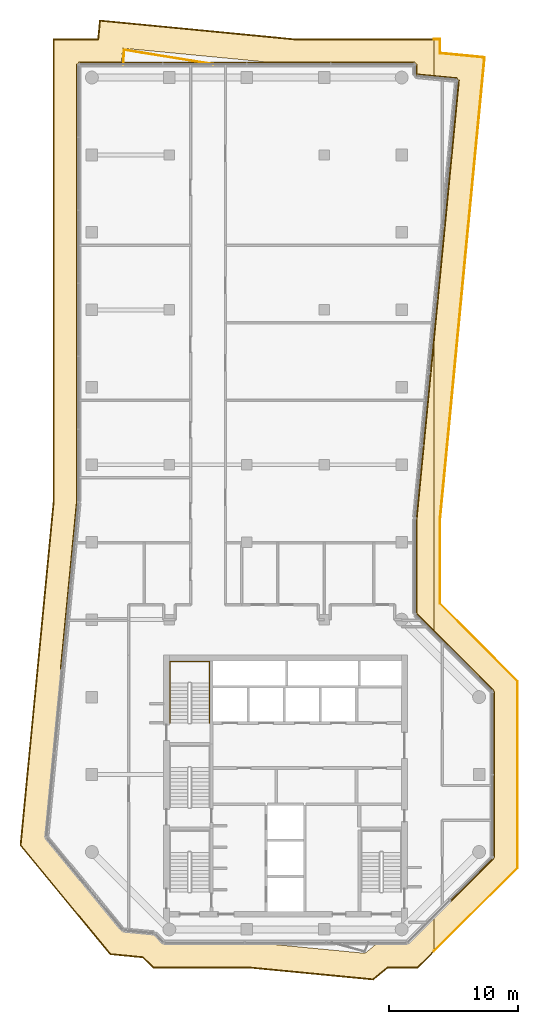
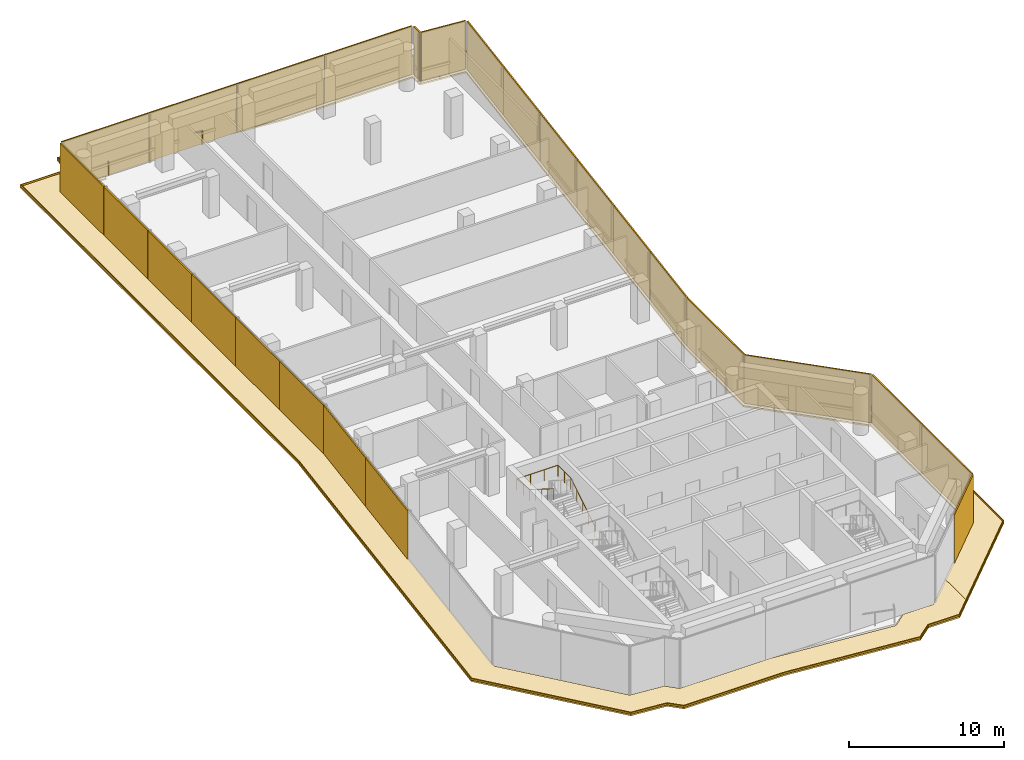
# One storey, part 13 of 13: 30 coverings, 2 railings.
"""IFC4 building model written with IfcOpenShell, lengths in metres."""

from ifc_helpers import new_model, si_unit, direction, frame, origin, origin_2d, place, context, subcontext, project, spatial, polyline, rectangle, circle, outline, extrude, material, layer, layer_set, type_object, element, save


model = new_model("IFC4")

# Units and contexts
model_context = context("Model", 3, precision=1e-05, world=origin(), true_north=direction((0.0, 1.0)))
body_context = subcontext(model_context, "Body", "Model", "MODEL_VIEW")
ifc_project = project(units=[si_unit("LENGTHUNIT", "METRE"), si_unit("AREAUNIT", "SQUARE_METRE"), si_unit("VOLUMEUNIT", "CUBIC_METRE"), si_unit("PLANEANGLEUNIT", "RADIAN"), si_unit("MASSUNIT", "GRAM", prefix="KILO")], contexts=[model_context])

# Site, building, storey
site_placement = place(None, origin())
site = spatial("IfcSite", under=ifc_project, at=site_placement, CompositionType="ELEMENT")
building_placement = place(site_placement, origin())
building = spatial("IfcBuilding", under=site, at=building_placement, Name="Welwitschia Terrace Campus", CompositionType="ELEMENT")
storey_placement = place(building_placement, frame((0.0, 0.0, 251.60009765625)))
storey = spatial("IfcBuildingStorey", under=building, at=storey_placement, Name="L56", CompositionType="ELEMENT", Elevation=251.60009765625)

# Coverings
ifc_material_1 = material(Name="Bronze mesh aluminium screen", Category="aluminium")
ifc_layer_1 = layer(ifc_material_1, 0.090087890625)
ifc_layer_set_1 = layer_set([ifc_layer_1], Name="Bronze mesh aluminium screen")
covering_type_1 = type_object("IfcCoveringType", Name="Bronze screen 90 plant", PredefinedType="USERDEFINED", material=ifc_layer_set_1)
for number, where, z_axis, x_axis, name in (
    (1, (-1.135009765625, 68.203125, 0.0), (0.0, 0.0, 1.0), (0.0, -1.0, 0.0), "Screen L56.0.0"),
    (2, (-1.135009765625, 62.5498046875, 0.0), (0.0, 0.0, 1.0), (0.0, -1.0, 0.0), "Screen L56.0.1"),
    (3, (-1.135009765625, 56.89599609375, 0.0), (0.0, 0.0, 1.0), (0.0, -1.0, 0.0), "Screen L56.0.2"),
    (4, (-1.135009765625, 51.24267578125, 0.0), (0.0, 0.0, 1.0), (0.0, -1.0, 0.0), "Screen L56.0.3"),
    (5, (-1.135009765625, 45.589111328125, 0.0), (0.0, 0.0, 1.0), (0.0, -1.0, 0.0), "Screen L56.0.4"),
    (6, (-1.135009765625, 39.935546875, 0.0), (0.0, 0.0, 1.0), (0.0, -1.0, 0.0), "Screen L56.0.5"),
):
    element("IfcCovering", number, at=place(storey_placement, frame(where, z_axis=z_axis, x_axis=x_axis)), inside=storey, type_object=covering_type_1, Name=name, ObjectType="SCREEN", PredefinedType="USERDEFINED", context=body_context, shape_type="SweptSolid", body=[
        extrude(rectangle(XDim=5.633544921875, YDim=0.090087890625, at=origin_2d()), origin(), (0.0, 0.0, 1.0), 3.800048828125),
    ])
for number, where, z_axis, x_axis, name in (
    (7, (-1.447021484375, 33.8720703125, 0.0), (0.0, 0.0, 1.0), (-0.09584575252, -0.995396198367, 0.0), "Screen L56.1.0"),
    (8, (-2.072509765625, 27.378662109375, 0.0), (0.0, 0.0, 1.0), (-0.09584575252, -0.995396198367, 0.0), "Screen L56.1.1"),
):
    element("IfcCovering", number, at=place(storey_placement, frame(where, z_axis=z_axis, x_axis=x_axis)), inside=storey, type_object=covering_type_1, Name=name, ObjectType="SCREEN", PredefinedType="USERDEFINED", context=body_context, shape_type="SweptSolid", body=[
        extrude(rectangle(XDim=6.50341796875, YDim=0.090087890625, at=origin_2d()), origin(), (0.0, 0.0, 1.0), 3.800048828125),
    ])
covering_1_placement = place(storey_placement, frame((29.453369140625, 7.848388671875, 0.0), z_axis=(0.0, 0.0, 1.0), x_axis=(0.707106781187, 0.707106781187, 0.0)))
element("IfcCovering", 9, at=covering_1_placement, inside=storey, type_object=covering_type_1, Name="Screen L56.6.1", ObjectType="SCREEN", PredefinedType="USERDEFINED", context=body_context, shape_type="SweptSolid", body=[
    extrude(rectangle(XDim=4.6494140625, YDim=0.090087890625, at=origin_2d()), origin(), (0.0, 0.0, 1.0), 3.800048828125),
])
for number, where, z_axis, x_axis, name in (
    (10, (31.135009765625, 12.78662109375, 0.0), (0.0, 0.0, 1.0), (0.0, 1.0, 0.0), "Screen L56.7.0"),
    (11, (31.135009765625, 19.21337890625, 0.0), (0.0, 0.0, 1.0), (0.0, 1.0, 0.0), "Screen L56.7.1"),
):
    element("IfcCovering", number, at=place(storey_placement, frame(where, z_axis=z_axis, x_axis=x_axis)), inside=storey, type_object=covering_type_1, Name=name, ObjectType="SCREEN", PredefinedType="USERDEFINED", context=body_context, shape_type="SweptSolid", body=[
        extrude(rectangle(XDim=6.406494140625, YDim=0.090087890625, at=origin_2d()), origin(), (0.0, 0.0, 1.0), 3.800048828125),
    ])
covering_2_placement = place(storey_placement, frame((28.104248046875, 25.5009765625, 0.0), z_axis=(0.0, 0.0, 1.0), x_axis=(-0.707106781187, 0.707106781187, 0.0)))
element("IfcCovering", 12, at=covering_2_placement, inside=storey, type_object=covering_type_1, Name="Screen L56.8.0", ObjectType="SCREEN", PredefinedType="USERDEFINED", context=body_context, shape_type="SweptSolid", body=[
    extrude(rectangle(XDim=8.46533203125, YDim=0.090087890625, at=origin_2d()), origin(), (0.0, 0.0, 1.0), 3.800048828125),
])
covering_3_placement = place(storey_placement, frame((25.135009765625, 32.141845703125, 0.0), z_axis=(0.0, 0.0, 1.0), x_axis=(0.0, 1.0, 0.0)))
element("IfcCovering", 13, at=covering_3_placement, inside=storey, type_object=covering_type_1, Name="Screen L56.9.0", ObjectType="SCREEN", PredefinedType="USERDEFINED", context=body_context, shape_type="SweptSolid", body=[
    extrude(rectangle(XDim=7.410400390625, YDim=0.090087890625, at=origin_2d()), origin(), (0.0, 0.0, 1.0), 3.800048828125),
])
for number, where, z_axis, x_axis, name in (
    (14, (25.406982421875, 38.676513671875, 0.0), (0.0, 0.0, 1.0), (0.09584575252, 0.995396198367, 0.0), "Screen L56.10.0"),
    (15, (25.951904296875, 44.33544921875, 0.0), (0.0, 0.0, 1.0), (0.09584575252, 0.995396198367, 0.0), "Screen L56.10.1"),
    (16, (26.496826171875, 49.994384765625, 0.0), (0.0, 0.0, 1.0), (0.09584575252, 0.995396198367, 0.0), "Screen L56.10.2"),
    (17, (27.041748046875, 55.6533203125, 0.0), (0.0, 0.0, 1.0), (0.09584575252, 0.995396198367, 0.0), "Screen L56.10.3"),
    (18, (27.58642578125, 61.312255859375, 0.0), (0.0, 0.0, 1.0), (0.09584575252, 0.995396198367, 0.0), "Screen L56.10.4"),
    (19, (28.13134765625, 66.97119140625, 0.0), (0.0, 0.0, 1.0), (0.09584575252, 0.995396198367, 0.0), "Screen L56.10.5"),
):
    element("IfcCovering", number, at=place(storey_placement, frame(where, z_axis=z_axis, x_axis=x_axis)), inside=storey, type_object=covering_type_1, Name=name, ObjectType="SCREEN", PredefinedType="USERDEFINED", context=body_context, shape_type="SweptSolid", body=[
        extrude(rectangle(XDim=5.6650390625, YDim=0.090087890625, at=origin_2d()), origin(), (0.0, 0.0, 1.0), 3.800048828125),
    ])
covering_4_placement = place(storey_placement, frame((26.6748046875, 70.07275390625, 0.0), z_axis=(0.0, 0.0, 1.0), x_axis=(-0.995396198367, 0.09584575252, 0.0)))
element("IfcCovering", 20, at=covering_4_placement, inside=storey, type_object=covering_type_1, Name="Screen L56.11.0", ObjectType="SCREEN", PredefinedType="USERDEFINED", context=body_context, shape_type="SweptSolid", body=[
    extrude(rectangle(XDim=3.264404296875, YDim=0.090087890625, at=origin_2d()), origin(), (0.0, 0.0, 1.0), 3.800048828125),
])
covering_5_placement = place(storey_placement, frame((25.135009765625, 70.577880859375, 0.0), z_axis=(0.0, 0.0, 1.0), x_axis=(0.0, 1.0, 0.0)))
element("IfcCovering", 21, at=covering_5_placement, inside=storey, type_object=covering_type_1, Name="Screen L56.12.0", ObjectType="SCREEN", PredefinedType="USERDEFINED", context=body_context, shape_type="SweptSolid", body=[
    extrude(rectangle(XDim=0.884521484375, YDim=0.090087890625, at=origin_2d()), origin(), (0.0, 0.0, 1.0), 3.800048828125),
])
for number, where, z_axis, x_axis, name in (
    (22, (21.7724609375, 71.135009765625, 0.0), (0.0, 0.0, 1.0), (-1.0, 0.0, 0.0), "Screen L56.13.0"),
    (23, (15.257568359375, 71.135009765625, 0.0), (0.0, 0.0, 1.0), (-1.0, 0.0, 0.0), "Screen L56.13.1"),
    (24, (8.742431640625, 71.135009765625, 0.0), (0.0, 0.0, 1.0), (-1.0, 0.0, 0.0), "Screen L56.13.2"),
    (25, (2.2275390625, 71.135009765625, 0.0), (0.0, 0.0, 1.0), (-1.0, 0.0, 0.0), "Screen L56.13.3"),
):
    element("IfcCovering", number, at=place(storey_placement, frame(where, z_axis=z_axis, x_axis=x_axis)), inside=storey, type_object=covering_type_1, Name=name, ObjectType="SCREEN", PredefinedType="USERDEFINED", context=body_context, shape_type="SweptSolid", body=[
        extrude(rectangle(XDim=6.4951171875, YDim=0.090087890625, at=origin_2d()), origin(), (0.0, 0.0, 1.0), 3.800048828125),
    ])

# Railings
ifc_material_2 = material(Name="Stainless steel grade 316", Category="steel")
railing_type_1 = type_object("IfcRailingType", Name="Guard 1100", PredefinedType="GUARDRAIL", material=ifc_material_2)
railing_1_placement = place(storey_placement, frame((2.430419921875, 71.030029296875, 0.0)))
element("IfcRailing", 26, at=railing_1_placement, inside=storey, type_object=railing_type_1, Name="Guard floor edge L56.0", PredefinedType="GUARDRAIL", context=body_context, shape_type="SweptSolid", body=[
    extrude(circle(Radius=0.02392578125, at=origin_2d()), frame((0.0, 0.0, 1.076171875), z_axis=(0.057286408179, 0.998357785284, 0.0), x_axis=(-0.998357785284, 0.057286408179, 0.0)), (0.0, 0.0, 1.0), 1.11669921875),
    extrude(circle(Radius=0.02392578125, at=origin_2d()), frame((0.06396484375, 1.11474609375, 1.076171875), z_axis=(0.987214375663, -0.159398169641, 0.0), x_axis=(0.159398169641, 0.987214375663, 0.0)), (0.0, 0.0, 1.0), 6.993408203125),
    extrude(circle(Radius=0.02099609375, at=origin_2d()), origin(), (0.0, 0.0, 1.0), 1.052001953125),
    extrude(circle(Radius=0.02099609375, at=origin_2d()), frame((0.06396484375, 1.11474609375, 0.0)), (0.0, 0.0, 1.0), 1.052001953125),
    extrude(circle(Radius=0.02099609375, at=origin_2d()), frame((1.44482421875, 0.891845703125, 0.0)), (0.0, 0.0, 1.0), 1.052001953125),
    extrude(circle(Radius=0.02099609375, at=origin_2d()), frame((2.82568359375, 0.6689453125, 0.0)), (0.0, 0.0, 1.0), 1.052001953125),
    extrude(circle(Radius=0.02099609375, at=origin_2d()), frame((4.206298828125, 0.44580078125, 0.0)), (0.0, 0.0, 1.0), 1.052001953125),
    extrude(circle(Radius=0.02099609375, at=origin_2d()), frame((5.587158203125, 0.222900390625, 0.0)), (0.0, 0.0, 1.0), 1.052001953125),
    extrude(circle(Radius=0.02099609375, at=origin_2d()), frame((6.968017578125, 0.0, 0.0)), (0.0, 0.0, 1.0), 1.052001953125),
])
ifc_material_3 = material(Name="Steel S355", Category="steel")
railing_type_2 = type_object("IfcRailingType", Name="Stair handrail 900", PredefinedType="HANDRAIL", material=ifc_material_3)
railing_2_placement = place(storey_placement, frame((9.10009765625, 20.0, 0.1748046875)))
element("IfcRailing", 27, at=railing_2_placement, inside=storey, type_object=railing_type_2, Name="L56 S4 stair handrail", PredefinedType="HANDRAIL", context=body_context, shape_type="SweptSolid", body=[
    extrude(circle(Radius=0.02392578125, at=origin_2d()), frame((0.0, 0.0, 0.8759765625), z_axis=(0.0, 0.847998304005, 0.529998940003), x_axis=(-1.0, 0.0, 0.0)), (0.0, 0.0, 1.0), 3.632080078125),
    extrude(circle(Radius=0.02392578125, at=origin_2d()), frame((0.0, 3.080078125, 2.80078125), z_axis=(0.0, 1.0, 0.0), x_axis=(-1.0, 0.0, 0.0)), (0.0, 0.0, 1.0), 1.669921875),
    extrude(circle(Radius=0.02392578125, at=origin_2d()), frame((0.0, 4.75, 2.80078125), z_axis=(-1.0, 0.0, 0.0), x_axis=(0.0, -1.0, 0.0)), (0.0, 0.0, 1.0), 3.050048828125),
    extrude(circle(Radius=0.02392578125, at=origin_2d()), frame((-3.050048828125, 4.75, 2.80078125), z_axis=(0.0, -0.99455077262, 0.104253348533), x_axis=(1.0, 0.0, 0.0)), (0.0, 0.0, 1.0), 1.678955078125),
    extrude(circle(Radius=0.02392578125, at=origin_2d()), frame((-3.050048828125, 3.080078125, 2.97607421875), z_axis=(0.0, -0.847998304005, 0.529998940003), x_axis=(1.0, 0.0, 0.0)), (0.0, 0.0, 1.0), 3.632080078125),
    extrude(circle(Radius=0.02099609375, at=origin_2d()), origin(), (0.0, 0.0, 1.0), 0.851806640625),
    extrude(circle(Radius=0.02099609375, at=origin_2d()), frame((0.0, 0.77001953125, 0.481201171875)), (0.0, 0.0, 1.0), 0.851806640625),
    extrude(circle(Radius=0.02099609375, at=origin_2d()), frame((0.0, 1.5400390625, 0.96240234375)), (0.0, 0.0, 1.0), 0.851806640625),
    extrude(circle(Radius=0.02099609375, at=origin_2d()), frame((0.0, 2.31005859375, 1.44384765625)), (0.0, 0.0, 1.0), 0.851806640625),
    extrude(circle(Radius=0.02099609375, at=origin_2d()), frame((0.0, 3.080078125, 1.925048828125)), (0.0, 0.0, 1.0), 0.851806640625),
    extrude(circle(Radius=0.02099609375, at=origin_2d()), frame((0.0, 3.9150390625, 1.925048828125)), (0.0, 0.0, 1.0), 0.851806640625),
    extrude(circle(Radius=0.02099609375, at=origin_2d()), frame((0.0, 4.75, 1.925048828125)), (0.0, 0.0, 1.0), 0.851806640625),
    extrude(circle(Radius=0.02099609375, at=origin_2d()), frame((-1.0166015625, 4.75, 1.925048828125)), (0.0, 0.0, 1.0), 0.851806640625),
    extrude(circle(Radius=0.02099609375, at=origin_2d()), frame((-2.033447265625, 4.75, 1.925048828125)), (0.0, 0.0, 1.0), 0.851806640625),
    extrude(circle(Radius=0.02099609375, at=origin_2d()), frame((-3.050048828125, 4.75, 1.925048828125)), (0.0, 0.0, 1.0), 0.851806640625),
    extrude(circle(Radius=0.02099609375, at=origin_2d()), frame((-3.050048828125, 3.9150390625, 2.0126953125)), (0.0, 0.0, 1.0), 0.851806640625),
    extrude(circle(Radius=0.02099609375, at=origin_2d()), frame((-3.050048828125, 3.080078125, 2.10009765625)), (0.0, 0.0, 1.0), 0.851806640625),
    extrude(circle(Radius=0.02099609375, at=origin_2d()), frame((-3.050048828125, 2.31005859375, 2.581298828125)), (0.0, 0.0, 1.0), 0.851806640625),
    extrude(circle(Radius=0.02099609375, at=origin_2d()), frame((-3.050048828125, 1.5400390625, 3.0625)), (0.0, 0.0, 1.0), 0.851806640625),
    extrude(circle(Radius=0.02099609375, at=origin_2d()), frame((-3.050048828125, 0.77001953125, 3.5439453125)), (0.0, 0.0, 1.0), 0.851806640625),
    extrude(circle(Radius=0.02099609375, at=origin_2d()), frame((-3.050048828125, 0.0, 4.025146484375)), (0.0, 0.0, 1.0), 0.851806640625),
])

# Coverings
ifc_material_4 = material(Name="Bronze anodised aluminium", Category="aluminium")
ifc_layer_2 = layer(ifc_material_4, 0.1201171875)
ifc_layer_set_2 = layer_set([ifc_layer_2], Name="Bronze anodised aluminium")
covering_type_2 = type_object("IfcCoveringType", Name="Sunshade band 2000", PredefinedType="USERDEFINED", material=ifc_layer_set_2)
covering_6_placement = place(storey_placement, frame((0.0, 0.0, -0.25)))
element("IfcCovering", 28, at=covering_6_placement, inside=storey, type_object=covering_type_2, Name="SUNSHADE L56.SW0", ObjectType="SUNSHADE", PredefinedType="USERDEFINED", context=body_context, shape_type="SweptSolid", body=[
    extrude(outline(polyline([(0.587158203125, 74.458251953125), (15.731689453125, 73.0), (26.5, 73.0), (26.5, 69.953857421875), (25.0, 70.098388671875), (25.0, 71.0), (15.635498046875, 71.0), (2.38623046875, 72.27587890625), (2.263427734375, 71.0), (-1.0, 71.0), (-1.0, 37.107421875), (-3.5, 11.144287109375), (2.42431640625, 3.95751953125), (4.863037109375, 3.722900390625), (5.585693359375, 3.0), (12.369384765625, 3.0), (21.166015625, 2.153076171875), (22.193603515625, 3.0), (24.414306640625, 3.0), (26.5, 5.085693359375), (26.5, 2.25732421875), (25.24267578125, 1.0), (22.91162109375, 1.0), (21.799072265625, 0.082763671875), (12.273193359375, 1.0), (4.75732421875, 1.0), (3.95654296875, 1.80078125), (1.407958984375, 2.046142578125), (-5.570068359375, 10.511474609375), (-3.0, 37.203369140625), (-3.0, 73.0), (0.44677734375, 73.0), (0.587158203125, 74.458251953125)])), origin(), (0.0, 0.0, 1.0), 0.119873046875),
])
covering_7_placement = place(storey_placement, frame((0.0, 0.0, -0.25)))
element("IfcCovering", 29, at=covering_7_placement, inside=storey, type_object=covering_type_2, Name="SUNSHADE L56.SW1", ObjectType="SUNSHADE", PredefinedType="USERDEFINED", context=body_context, shape_type="SweptSolid", body=[
    extrude(outline(polyline([(25.0, 28.414306640625), (25.0, 35.8583984375), (26.5, 51.43701171875), (26.5, 26.914306640625), (25.0, 28.414306640625)])), origin(), (0.0, 0.0, 1.0), 0.119873046875),
])
covering_8_placement = place(storey_placement, frame((0.0, 0.0, -0.25)))
element("IfcCovering", 30, at=covering_8_placement, inside=storey, type_object=covering_type_2, Name="SUNSHADE L56.SE0", ObjectType="SUNSHADE", PredefinedType="USERDEFINED", context=body_context, shape_type="SweptSolid", body=[
    extrude(outline(polyline([(27.0, 73.0), (27.0, 71.9150390625), (30.44921875, 71.5830078125), (27.0, 35.762451171875), (27.0, 29.24267578125), (33.0, 23.24267578125), (33.0, 8.75732421875), (26.5, 2.25732421875), (26.5, 5.085693359375), (31.0, 9.585693359375), (31.0, 22.414306640625), (26.5, 26.914306640625), (26.5, 51.43701171875), (28.2666015625, 69.78369140625), (26.5, 69.953857421875), (26.5, 73.0), (27.0, 73.0)])), origin(), (0.0, 0.0, 1.0), 0.119873046875),
])
ifc_material_5 = material(Name="Bronze anodised aluminium", Category="aluminium")
ifc_layer_3 = layer(ifc_material_5, 0.06005859375)
ifc_layer_set_3 = layer_set([ifc_layer_3], Name="Bronze anodised aluminium")
covering_type_3 = type_object("IfcCoveringType", Name="Sunshade lip 60", PredefinedType="USERDEFINED", material=ifc_layer_set_3)
covering_9_placement = place(storey_placement, frame((0.0, 0.0, -0.130126953125)))
element("IfcCovering", 31, at=covering_9_placement, inside=storey, type_object=covering_type_3, Name="SUNSHADE LIP L56.SW0.0", ObjectType="SUNSHADE", PredefinedType="USERDEFINED", context=body_context, shape_type="SweptSolid", body=[
    extrude(outline(polyline([(15.731689453125, 73.0), (26.5, 73.0), (26.5, 72.93994140625), (15.728759765625, 72.93994140625), (0.64111328125, 74.392822265625), (0.501220703125, 72.93994140625), (-2.93994140625, 72.93994140625), (-2.93994140625, 37.200439453125), (-5.508056640625, 10.5302734375), (1.4384765625, 2.103515625), (3.98388671875, 1.8583984375), (4.7822265625, 1.06005859375), (12.276123046875, 1.06005859375), (21.780029296875, 0.14501953125), (22.89013671875, 1.06005859375), (25.2177734375, 1.06005859375), (26.5, 2.34228515625), (26.5, 2.25732421875), (25.24267578125, 1.0), (22.91162109375, 1.0), (21.799072265625, 0.082763671875), (12.273193359375, 1.0), (4.75732421875, 1.0), (3.95654296875, 1.80078125), (1.407958984375, 2.046142578125), (-5.570068359375, 10.511474609375), (-3.0, 37.203369140625), (-3.0, 73.0), (0.44677734375, 73.0), (0.587158203125, 74.458251953125), (15.731689453125, 73.0)])), origin(), (0.0, 0.0, 1.0), 0.130126953125),
])
covering_10_placement = place(storey_placement, frame((0.0, 0.0, -0.130126953125)))
element("IfcCovering", 32, at=covering_10_placement, inside=storey, type_object=covering_type_3, Name="SUNSHADE LIP L56.SE0.0", ObjectType="SUNSHADE", PredefinedType="USERDEFINED", context=body_context, shape_type="SweptSolid", body=[
    extrude(outline(polyline([(27.0, 71.9150390625), (30.44921875, 71.5830078125), (27.0, 35.762451171875), (27.0, 29.24267578125), (33.0, 23.24267578125), (33.0, 8.75732421875), (26.5, 2.25732421875), (26.5, 2.34228515625), (32.93994140625, 8.7822265625), (32.93994140625, 23.2177734375), (26.93994140625, 29.2177734375), (26.93994140625, 35.765380859375), (30.383544921875, 71.52880859375), (26.93994140625, 71.860595703125), (26.93994140625, 72.93994140625), (26.5, 72.93994140625), (26.5, 73.0), (27.0, 73.0), (27.0, 71.9150390625)])), origin(), (0.0, 0.0, 1.0), 0.130126953125),
])

save(model, "model.ifc")
